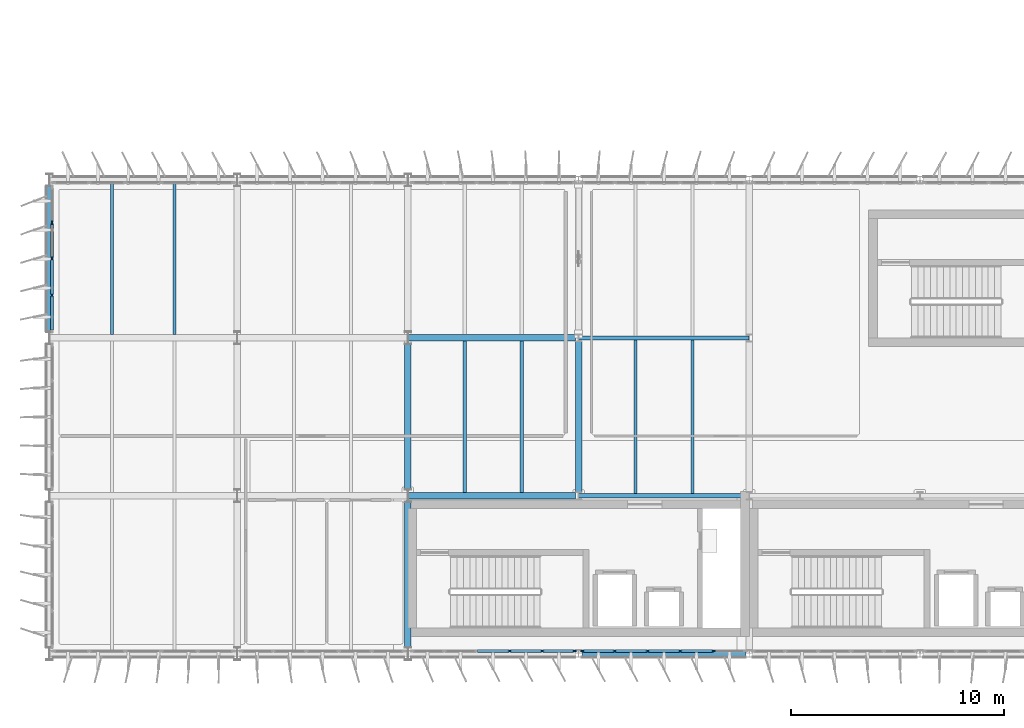
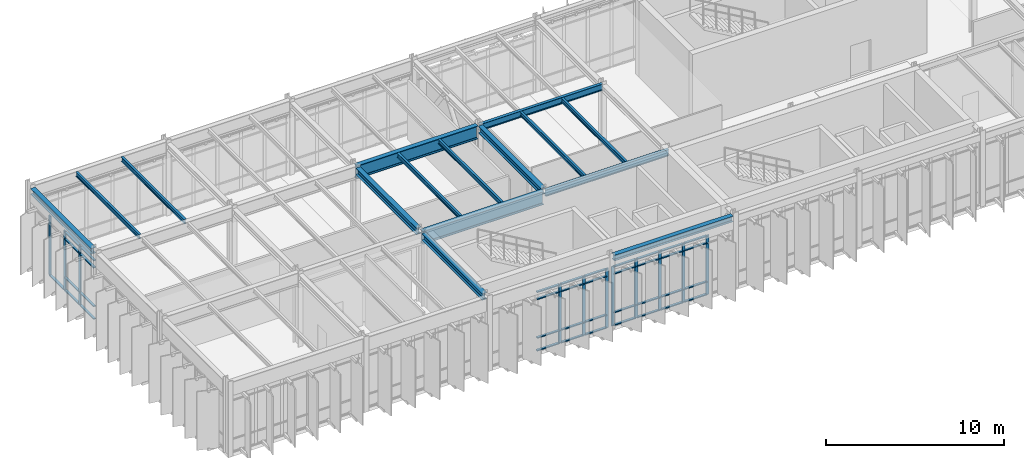
# One storey, part 9 of 48: 48 members, 15 beams, 3 elements without a shape of their own.
"""IFC4 building model written with IfcOpenShell, lengths in metres."""

from ifc_helpers import new_model, si_unit, direction, frame, origin, origin_2d, place, context, subcontext, project, spatial, rectangle, i_section, extrude, material, layer, layer_set, material_profile, profile_set, type_object, element, aggregate, save


model = new_model("IFC4")

# Units and contexts
model_context = context("Model", 3, precision=1e-05, world=origin(), true_north=direction((0.0, 1.0)))
body_context = subcontext(model_context, "Body", "Model", "MODEL_VIEW")
ifc_project = project(units=[si_unit("LENGTHUNIT", "METRE"), si_unit("AREAUNIT", "SQUARE_METRE"), si_unit("VOLUMEUNIT", "CUBIC_METRE"), si_unit("PLANEANGLEUNIT", "RADIAN"), si_unit("MASSUNIT", "GRAM", prefix="KILO")], contexts=[model_context])

# Site, building, storey
site_placement = place(None, origin())
site = spatial("IfcSite", under=ifc_project, at=site_placement, CompositionType="ELEMENT")
building_placement = place(site_placement, origin())
building = spatial("IfcBuilding", under=site, at=building_placement, Name="Valkorina Park Police Headquarters", CompositionType="ELEMENT")
storey_placement = place(building_placement, frame((0.0, 0.0, 18.10009765625)))
storey = spatial("IfcBuildingStorey", under=building, at=storey_placement, Name="L05", CompositionType="ELEMENT", Elevation=18.10009765625)

# Beams
ifc_material_1 = material(Name="Steel S355", Category="steel")
ifc_material_profile_1 = material_profile(ifc_material_1, i_section(OverallWidth=0.300048828125, OverallDepth=0.389892578125, WebThickness=0.010986328125, FlangeThickness=0.01904296875, FilletRadius=0.027099609375, at=origin_2d()), Name="HEA 400")
ifc_profile_set_1 = profile_set([ifc_material_profile_1], Name="Steel S355")
beam_type_1 = type_object("IfcBeamType", Name="BM-S355-HEA400-SPN", PredefinedType="SPANDREL", material=ifc_profile_set_1)
beam_1_placement = place(storey_placement, frame((24.949951171875, 37.0, 4.784912109375), z_axis=(1.0, 0.0, 0.0), x_axis=(0.0, 1.0, 0.0)))
element("IfcBeam", 1, at=beam_1_placement, inside=storey, type_object=beam_type_1, Name="L05 Framing Beam 2457", PredefinedType="SPANDREL", context=body_context, shape_type="SweptSolid", body=[
    extrude(i_section(OverallWidth=0.300048828125, OverallDepth=0.389892578125, WebThickness=0.010986328125, FlangeThickness=0.01904296875, FilletRadius=0.027099609375, at=origin_2d()), origin(), (0.0, 0.0, 1.0), 7.699951171875),
])
beam_2_placement = place(storey_placement, frame((0.0, 52.10009765625, 4.784912109375), z_axis=(0.0, 1.0, 0.0), x_axis=(-1.0, 0.0, 0.0)))
element("IfcBeam", 2, at=beam_2_placement, inside=storey, type_object=beam_type_1, Name="L05 Framing Beam 2513", PredefinedType="SPANDREL", context=body_context, shape_type="SweptSolid", body=[
    extrude(i_section(OverallWidth=0.300048828125, OverallDepth=0.389892578125, WebThickness=0.010986328125, FlangeThickness=0.01904296875, FilletRadius=0.027099609375, at=origin_2d()), origin(), (0.0, 0.0, 1.0), 6.7998046875),
])
ifc_material_profile_2 = material_profile(ifc_material_1, i_section(OverallWidth=0.300048828125, OverallDepth=0.449951171875, WebThickness=0.013916015625, FlangeThickness=0.02587890625, FilletRadius=0.027099609375, at=origin_2d()), Name="HEB 450")
ifc_profile_set_2 = profile_set([ifc_material_profile_2], Name="Steel S355")
beam_type_2 = type_object("IfcBeamType", Name="BM-S355-HEB450-BM", PredefinedType="BEAM", material=ifc_profile_set_2)
for number, where, z_axis, x_axis, name in (
    (3, (16.800048828125, 37.300048828125, 4.7548828125), (0.0, 1.0, 0.0), (-1.0, 0.0, 0.0), "L05 Framing Beam 2525"),
    (4, (16.800048828125, 44.699951171875, 4.7548828125), (0.0, 1.0, 0.0), (-1.0, 0.0, 0.0), "L05 Framing Beam 2526"),
):
    element("IfcBeam", number, at=place(storey_placement, frame(where, z_axis=z_axis, x_axis=x_axis)), inside=storey, type_object=beam_type_2, Name=name, PredefinedType="BEAM", context=body_context, shape_type="SweptSolid", body=[
        extrude(i_section(OverallWidth=0.300048828125, OverallDepth=0.449951171875, WebThickness=0.013916015625, FlangeThickness=0.02587890625, FilletRadius=0.027099609375, at=origin_2d()), origin(), (0.0, 0.0, 1.0), 6.800048828125),
    ])
beam_3_placement = place(storey_placement, frame((24.800048828125, 44.580078125, 4.7548828125), z_axis=(0.0, 1.0, 0.0), x_axis=(-1.0, 0.0, 0.0)))
element("IfcBeam", 5, at=beam_3_placement, inside=storey, type_object=beam_type_2, Name="L05 Framing Beam 2532", PredefinedType="BEAM", context=body_context, shape_type="SweptSolid", body=[
    extrude(i_section(OverallWidth=0.300048828125, OverallDepth=0.449951171875, WebThickness=0.013916015625, FlangeThickness=0.02587890625, FilletRadius=0.027099609375, at=origin_2d()), origin(), (0.0, 0.0, 1.0), 7.0400390625),
])
ifc_material_profile_3 = material_profile(ifc_material_1, i_section(OverallWidth=0.300048828125, OverallDepth=0.89990234375, WebThickness=0.0185546875, FlangeThickness=0.034912109375, FilletRadius=0.030029296875, at=origin_2d()), Name="HEB 900")
ifc_profile_set_3 = profile_set([ifc_material_profile_3], Name="Steel S355")
beam_type_3 = type_object("IfcBeamType", Name="BM-S355-HEB900-BM", PredefinedType="BEAM", material=ifc_profile_set_3)
for number, where, z_axis, x_axis, name in (
    (6, (16.8076171875, 44.39990234375, 4.52978515625), (1.0, 0.0, 0.0), (0.0, 1.0, 0.0), "L05 Framing Beam 2470"),
    (7, (16.8076171875, 51.800048828125, 4.52978515625), (1.0, 0.0, 0.0), (0.0, 1.0, 0.0), "L05 Framing Beam 2481"),
):
    element("IfcBeam", number, at=place(storey_placement, frame(where, z_axis=z_axis, x_axis=x_axis)), inside=storey, type_object=beam_type_3, Name=name, PredefinedType="BEAM", context=body_context, shape_type="SweptSolid", body=[
        extrude(i_section(OverallWidth=0.300048828125, OverallDepth=0.89990234375, WebThickness=0.0185546875, FlangeThickness=0.034912109375, FilletRadius=0.030029296875, at=origin_2d()), origin(), (0.0, 0.0, 1.0), 7.84228515625),
    ])
ifc_material_profile_4 = material_profile(ifc_material_1, i_section(OverallWidth=0.14990234375, OverallDepth=0.300048828125, WebThickness=0.007080078125, FlangeThickness=0.0107421875, FilletRadius=0.014892578125, at=origin_2d()), Name="IPE 300")
ifc_profile_set_4 = profile_set([ifc_material_profile_4], Name="Steel S355")
beam_type_4 = type_object("IfcBeamType", Name="BM-S355-IPE300-JST", PredefinedType="JOIST", material=ifc_profile_set_4)
for number, where, z_axis, x_axis, name in (
    (8, (2.933349609375, 51.949951171875, 4.829833984375), (0.0, 1.0, 0.0), (-1.0, 0.0, 0.0), "L05 Framing Beam 2514"),
    (9, (5.86669921875, 51.949951171875, 4.829833984375), (0.0, 1.0, 0.0), (-1.0, 0.0, 0.0), "L05 Framing Beam 2515"),
):
    element("IfcBeam", number, at=place(storey_placement, frame(where, z_axis=z_axis, x_axis=x_axis)), inside=storey, type_object=beam_type_4, Name=name, PredefinedType="JOIST", context=body_context, shape_type="SweptSolid", body=[
        extrude(i_section(OverallWidth=0.14990234375, OverallDepth=0.300048828125, WebThickness=0.007080078125, FlangeThickness=0.0107421875, FilletRadius=0.014892578125, at=origin_2d()), origin(), (0.0, 0.0, 1.0), 7.10009765625),
    ])
for number, where, z_axis, x_axis, name in (
    (10, (19.466796875, 44.550048828125, 4.829833984375), (0.0, 1.0, 0.0), (-1.0, 0.0, 0.0), "L05 Framing Beam 2527"),
    (11, (22.13330078125, 44.550048828125, 4.829833984375), (0.0, 1.0, 0.0), (-1.0, 0.0, 0.0), "L05 Framing Beam 2528"),
):
    element("IfcBeam", number, at=place(storey_placement, frame(where, z_axis=z_axis, x_axis=x_axis)), inside=storey, type_object=beam_type_4, Name=name, PredefinedType="JOIST", context=body_context, shape_type="SweptSolid", body=[
        extrude(i_section(OverallWidth=0.14990234375, OverallDepth=0.300048828125, WebThickness=0.007080078125, FlangeThickness=0.0107421875, FilletRadius=0.014892578125, at=origin_2d()), origin(), (0.0, 0.0, 1.0), 7.099853515625),
    ])
for number, where, z_axis, x_axis, name in (
    (12, (27.466796875, 44.4951171875, 4.829833984375), (0.0, 1.0, 0.0), (-1.0, 0.0, 0.0), "L05 Framing Beam 2533"),
    (13, (30.13330078125, 44.4951171875, 4.829833984375), (0.0, 1.0, 0.0), (-1.0, 0.0, 0.0), "L05 Framing Beam 2534"),
):
    element("IfcBeam", number, at=place(storey_placement, frame(where, z_axis=z_axis, x_axis=x_axis)), inside=storey, type_object=beam_type_4, Name=name, PredefinedType="JOIST", context=body_context, shape_type="SweptSolid", body=[
        extrude(i_section(OverallWidth=0.14990234375, OverallDepth=0.300048828125, WebThickness=0.007080078125, FlangeThickness=0.0107421875, FilletRadius=0.014892578125, at=origin_2d()), origin(), (0.0, 0.0, 1.0), 7.2099609375),
    ])
ifc_material_profile_5 = material_profile(ifc_material_1, i_section(OverallWidth=0.18994140625, OverallDepth=0.449951171875, WebThickness=0.009521484375, FlangeThickness=0.0146484375, FilletRadius=0.02099609375, at=origin_2d()), Name="IPE 450")
ifc_profile_set_5 = profile_set([ifc_material_profile_5], Name="Steel S355")
beam_type_5 = type_object("IfcBeamType", Name="BM-S355-IPE450-BM", PredefinedType="BEAM", material=ifc_profile_set_5)
for number, where, z_axis, x_axis, name in (
    (14, (24.806396484375, 44.39990234375, 4.7548828125), (1.0, 0.0, 0.0), (0.0, 1.0, 0.0), "L05 Framing Beam 2471"),
    (15, (24.806396484375, 51.800048828125, 4.7548828125), (1.0, 0.0, 0.0), (0.0, 1.0, 0.0), "L05 Framing Beam 2482"),
):
    element("IfcBeam", number, at=place(storey_placement, frame(where, z_axis=z_axis, x_axis=x_axis)), inside=storey, type_object=beam_type_5, Name=name, PredefinedType="BEAM", context=body_context, shape_type="SweptSolid", body=[
        extrude(i_section(OverallWidth=0.18994140625, OverallDepth=0.449951171875, WebThickness=0.009521484375, FlangeThickness=0.0146484375, FilletRadius=0.02099609375, at=origin_2d()), origin(), (0.0, 0.0, 1.0), 7.9873046875),
    ])

# Curtain wall, members
ifc_material_2 = material(Name="Thermally broken aluminium AW-6060", Category="aluminium")
ifc_layer_1 = layer(ifc_material_2, 0.18994140625)
ifc_layer_set_1 = layer_set([ifc_layer_1], Name="Thermally broken aluminium AW-6060")
curtain_wall_type_1 = type_object("IfcCurtainWallType", Name="CW-V5-7680x4070", PredefinedType="NOTDEFINED", material=ifc_layer_set_1)
curtain_wall_1_placement = place(storey_placement, origin())
curtain_wall_1 = element("IfcCurtainWall", 16, at=curtain_wall_1_placement, inside=storey, type_object=curtain_wall_type_1, Name="L05 Unitised Curtain Wall 071", PredefinedType="NOTDEFINED")
ifc_material_profile_6 = material_profile(ifc_material_2, rectangle(XDim=0.070068359375, YDim=0.18994140625, at=origin_2d()), Name="CWM-02 70x190")
ifc_profile_set_6 = profile_set([ifc_material_profile_6], Name="Thermally broken aluminium AW-6060")
member_type_1 = type_object("IfcMemberType", Name="CWM-70x190", PredefinedType="MULLION", material=ifc_profile_set_6)
member_1_placement = place(storey_placement, frame((31.10400390625, 37.1201171875, 0.0), z_axis=(0.0, 0.0, 1.0), x_axis=(0.0, -1.0, 0.0)))
member_1 = element("IfcMember", 17, at=member_1_placement, type_object=member_type_1, Name="CW-V5-768-407 mullion 2", PredefinedType="MULLION", context=body_context, shape_type="SweptSolid", body=[
    extrude(rectangle(XDim=0.070068359375, YDim=0.18994140625, at=origin_2d()), origin(), (0.0, 0.0, 1.0), 4.06982421875),
])
member_2_placement = place(storey_placement, frame((29.568115234375, 37.1201171875, 0.0), z_axis=(0.0, 0.0, 1.0), x_axis=(0.0, -1.0, 0.0)))
member_2 = element("IfcMember", 18, at=member_2_placement, type_object=member_type_1, Name="CW-V5-768-407 mullion 3", PredefinedType="MULLION", context=body_context, shape_type="SweptSolid", body=[
    extrude(rectangle(XDim=0.070068359375, YDim=0.18994140625, at=origin_2d()), origin(), (0.0, 0.0, 1.0), 4.06982421875),
])
member_3_placement = place(storey_placement, frame((28.031982421875, 37.1201171875, 0.0), z_axis=(0.0, 0.0, 1.0), x_axis=(0.0, -1.0, 0.0)))
member_3 = element("IfcMember", 19, at=member_3_placement, type_object=member_type_1, Name="CW-V5-768-407 mullion 4", PredefinedType="MULLION", context=body_context, shape_type="SweptSolid", body=[
    extrude(rectangle(XDim=0.070068359375, YDim=0.18994140625, at=origin_2d()), origin(), (0.0, 0.0, 1.0), 4.06982421875),
])
member_4_placement = place(storey_placement, frame((26.49609375, 37.1201171875, 0.0), z_axis=(0.0, 0.0, 1.0), x_axis=(0.0, -1.0, 0.0)))
member_4 = element("IfcMember", 20, at=member_4_placement, type_object=member_type_1, Name="CW-V5-768-407 mullion 5", PredefinedType="MULLION", context=body_context, shape_type="SweptSolid", body=[
    extrude(rectangle(XDim=0.070068359375, YDim=0.18994140625, at=origin_2d()), origin(), (0.0, 0.0, 1.0), 4.06982421875),
])
member_5_placement = place(storey_placement, frame((24.9951171875, 37.1201171875, 0.0), z_axis=(0.0, 0.0, 1.0), x_axis=(0.0, -1.0, 0.0)))
member_5 = element("IfcMember", 21, at=member_5_placement, type_object=member_type_1, Name="CW-V5-768-407 mullion 6", PredefinedType="MULLION", context=body_context, shape_type="SweptSolid", body=[
    extrude(rectangle(XDim=0.070068359375, YDim=0.18994140625, at=origin_2d()), origin(), (0.0, 0.0, 1.0), 4.06982421875),
])

curtain_wall_2_placement = place(storey_placement, origin())
curtain_wall_2 = element("IfcCurtainWall", 22, at=curtain_wall_2_placement, inside=storey, type_object=curtain_wall_type_1, Name="L05 Unitised Curtain Wall 072", PredefinedType="NOTDEFINED")
member_6_placement = place(storey_placement, frame((24.60498046875, 37.1201171875, 0.0), z_axis=(0.0, 0.0, 1.0), x_axis=(0.0, -1.0, 0.0)))
member_6 = element("IfcMember", 23, at=member_6_placement, type_object=member_type_1, Name="CW-V5-768-407 mullion 1", PredefinedType="MULLION", context=body_context, shape_type="SweptSolid", body=[
    extrude(rectangle(XDim=0.070068359375, YDim=0.18994140625, at=origin_2d()), origin(), (0.0, 0.0, 1.0), 4.06982421875),
])
member_7_placement = place(storey_placement, frame((23.10400390625, 37.1201171875, 0.0), z_axis=(0.0, 0.0, 1.0), x_axis=(0.0, -1.0, 0.0)))
member_7 = element("IfcMember", 24, at=member_7_placement, type_object=member_type_1, Name="CW-V5-768-407 mullion 2", PredefinedType="MULLION", context=body_context, shape_type="SweptSolid", body=[
    extrude(rectangle(XDim=0.070068359375, YDim=0.18994140625, at=origin_2d()), origin(), (0.0, 0.0, 1.0), 4.06982421875),
])
member_8_placement = place(storey_placement, frame((21.568115234375, 37.1201171875, 0.0), z_axis=(0.0, 0.0, 1.0), x_axis=(0.0, -1.0, 0.0)))
member_8 = element("IfcMember", 25, at=member_8_placement, type_object=member_type_1, Name="CW-V5-768-407 mullion 3", PredefinedType="MULLION", context=body_context, shape_type="SweptSolid", body=[
    extrude(rectangle(XDim=0.070068359375, YDim=0.18994140625, at=origin_2d()), origin(), (0.0, 0.0, 1.0), 4.06982421875),
])

ifc_layer_2 = layer(ifc_material_2, 0.18994140625)
ifc_layer_set_2 = layer_set([ifc_layer_2], Name="Thermally broken aluminium AW-6060")
curtain_wall_type_2 = type_object("IfcCurtainWallType", Name="CW-V5-6780x4070", PredefinedType="NOTDEFINED", material=ifc_layer_set_2)
curtain_wall_3_placement = place(storey_placement, origin())
curtain_wall_3 = element("IfcCurtainWall", 26, at=curtain_wall_3_placement, inside=storey, type_object=curtain_wall_type_2, Name="L05 Unitised Curtain Wall 077", PredefinedType="NOTDEFINED")
member_9_placement = place(storey_placement, frame((0.1201171875, 53.804931640625, 0.0), z_axis=(0.0, 0.0, 1.0), x_axis=(-1.0, 0.0, 0.0)))
member_9 = element("IfcMember", 27, at=member_9_placement, type_object=member_type_1, Name="CW-V5-678-407 mullion 2", PredefinedType="MULLION", context=body_context, shape_type="SweptSolid", body=[
    extrude(rectangle(XDim=0.070068359375, YDim=0.18994140625, at=origin_2d()), origin(), (0.0, 0.0, 1.0), 4.06982421875),
])
member_10_placement = place(storey_placement, frame((0.1201171875, 55.5, 0.0), z_axis=(0.0, 0.0, 1.0), x_axis=(-1.0, 0.0, 0.0)))
member_10 = element("IfcMember", 28, at=member_10_placement, type_object=member_type_1, Name="CW-V5-678-407 mullion 3", PredefinedType="MULLION", context=body_context, shape_type="SweptSolid", body=[
    extrude(rectangle(XDim=0.070068359375, YDim=0.18994140625, at=origin_2d()), origin(), (0.0, 0.0, 1.0), 4.06982421875),
])
member_11_placement = place(storey_placement, frame((0.1201171875, 57.195068359375, 0.0), z_axis=(0.0, 0.0, 1.0), x_axis=(-1.0, 0.0, 0.0)))
member_11 = element("IfcMember", 29, at=member_11_placement, type_object=member_type_1, Name="CW-V5-678-407 mullion 4", PredefinedType="MULLION", context=body_context, shape_type="SweptSolid", body=[
    extrude(rectangle(XDim=0.070068359375, YDim=0.18994140625, at=origin_2d()), origin(), (0.0, 0.0, 1.0), 4.06982421875),
])

# Member
ifc_material_profile_7 = material_profile(ifc_material_2, rectangle(XDim=0.14990234375, YDim=0.070068359375, at=origin_2d()), Name="CWT-02 150x70")
ifc_profile_set_7 = profile_set([ifc_material_profile_7], Name="Thermally broken aluminium AW-6060")
member_type_2 = type_object("IfcMemberType", Name="CWT-150x70", PredefinedType="USERDEFINED", material=ifc_profile_set_7)
member_12_placement = place(storey_placement, frame((31.069091796875, 37.1201171875, 0.034912109375), z_axis=(-1.0, 0.0, 0.0), x_axis=(0.0, -1.0, 0.0)))
member_12 = element("IfcMember", 30, at=member_12_placement, type_object=member_type_2, Name="CW-V5-768-407 transom 2.1", ObjectType="TRANSOM", PredefinedType="USERDEFINED", context=body_context, shape_type="SweptSolid", body=[
    extrude(rectangle(XDim=0.14990234375, YDim=0.070068359375, at=origin_2d()), origin(), (0.0, 0.0, 1.0), 1.466064453125),
])

member_13_placement = place(storey_placement, frame((31.069091796875, 37.1201171875, 0.89990234375), z_axis=(-1.0, 0.0, 0.0), x_axis=(0.0, -1.0, 0.0)))
member_13 = element("IfcMember", 31, at=member_13_placement, type_object=member_type_2, Name="CW-V5-768-407 transom 2.2", ObjectType="TRANSOM", PredefinedType="USERDEFINED", context=body_context, shape_type="SweptSolid", body=[
    extrude(rectangle(XDim=0.14990234375, YDim=0.070068359375, at=origin_2d()), origin(), (0.0, 0.0, 1.0), 1.466064453125),
])

member_14_placement = place(storey_placement, frame((31.069091796875, 37.1201171875, 3.5498046875), z_axis=(-1.0, 0.0, 0.0), x_axis=(0.0, -1.0, 0.0)))
member_14 = element("IfcMember", 32, at=member_14_placement, type_object=member_type_2, Name="CW-V5-768-407 transom 2.3", ObjectType="TRANSOM", PredefinedType="USERDEFINED", context=body_context, shape_type="SweptSolid", body=[
    extrude(rectangle(XDim=0.14990234375, YDim=0.070068359375, at=origin_2d()), origin(), (0.0, 0.0, 1.0), 1.466064453125),
])

member_15_placement = place(storey_placement, frame((31.069091796875, 37.1201171875, 4.034912109375), z_axis=(-1.0, 0.0, 0.0), x_axis=(0.0, -1.0, 0.0)))
member_15 = element("IfcMember", 33, at=member_15_placement, type_object=member_type_2, Name="CW-V5-768-407 transom 2.4", ObjectType="TRANSOM", PredefinedType="USERDEFINED", context=body_context, shape_type="SweptSolid", body=[
    extrude(rectangle(XDim=0.14990234375, YDim=0.070068359375, at=origin_2d()), origin(), (0.0, 0.0, 1.0), 1.466064453125),
])

member_16_placement = place(storey_placement, frame((29.532958984375, 37.1201171875, 0.034912109375), z_axis=(-1.0, 0.0, 0.0), x_axis=(0.0, -1.0, 0.0)))
member_16 = element("IfcMember", 34, at=member_16_placement, type_object=member_type_2, Name="CW-V5-768-407 transom 3.1", ObjectType="TRANSOM", PredefinedType="USERDEFINED", context=body_context, shape_type="SweptSolid", body=[
    extrude(rectangle(XDim=0.14990234375, YDim=0.070068359375, at=origin_2d()), origin(), (0.0, 0.0, 1.0), 1.466064453125),
])

member_17_placement = place(storey_placement, frame((29.532958984375, 37.1201171875, 0.89990234375), z_axis=(-1.0, 0.0, 0.0), x_axis=(0.0, -1.0, 0.0)))
member_17 = element("IfcMember", 35, at=member_17_placement, type_object=member_type_2, Name="CW-V5-768-407 transom 3.2", ObjectType="TRANSOM", PredefinedType="USERDEFINED", context=body_context, shape_type="SweptSolid", body=[
    extrude(rectangle(XDim=0.14990234375, YDim=0.070068359375, at=origin_2d()), origin(), (0.0, 0.0, 1.0), 1.466064453125),
])

member_18_placement = place(storey_placement, frame((29.532958984375, 37.1201171875, 3.5498046875), z_axis=(-1.0, 0.0, 0.0), x_axis=(0.0, -1.0, 0.0)))
member_18 = element("IfcMember", 36, at=member_18_placement, type_object=member_type_2, Name="CW-V5-768-407 transom 3.3", ObjectType="TRANSOM", PredefinedType="USERDEFINED", context=body_context, shape_type="SweptSolid", body=[
    extrude(rectangle(XDim=0.14990234375, YDim=0.070068359375, at=origin_2d()), origin(), (0.0, 0.0, 1.0), 1.466064453125),
])

member_19_placement = place(storey_placement, frame((29.532958984375, 37.1201171875, 4.034912109375), z_axis=(-1.0, 0.0, 0.0), x_axis=(0.0, -1.0, 0.0)))
member_19 = element("IfcMember", 37, at=member_19_placement, type_object=member_type_2, Name="CW-V5-768-407 transom 3.4", ObjectType="TRANSOM", PredefinedType="USERDEFINED", context=body_context, shape_type="SweptSolid", body=[
    extrude(rectangle(XDim=0.14990234375, YDim=0.070068359375, at=origin_2d()), origin(), (0.0, 0.0, 1.0), 1.466064453125),
])

member_20_placement = place(storey_placement, frame((27.9970703125, 37.1201171875, 0.034912109375), z_axis=(-1.0, 0.0, 0.0), x_axis=(0.0, -1.0, 0.0)))
member_20 = element("IfcMember", 38, at=member_20_placement, type_object=member_type_2, Name="CW-V5-768-407 transom 4.1", ObjectType="TRANSOM", PredefinedType="USERDEFINED", context=body_context, shape_type="SweptSolid", body=[
    extrude(rectangle(XDim=0.14990234375, YDim=0.070068359375, at=origin_2d()), origin(), (0.0, 0.0, 1.0), 1.466064453125),
])

member_21_placement = place(storey_placement, frame((27.9970703125, 37.1201171875, 0.89990234375), z_axis=(-1.0, 0.0, 0.0), x_axis=(0.0, -1.0, 0.0)))
member_21 = element("IfcMember", 39, at=member_21_placement, type_object=member_type_2, Name="CW-V5-768-407 transom 4.2", ObjectType="TRANSOM", PredefinedType="USERDEFINED", context=body_context, shape_type="SweptSolid", body=[
    extrude(rectangle(XDim=0.14990234375, YDim=0.070068359375, at=origin_2d()), origin(), (0.0, 0.0, 1.0), 1.466064453125),
])

member_22_placement = place(storey_placement, frame((27.9970703125, 37.1201171875, 3.5498046875), z_axis=(-1.0, 0.0, 0.0), x_axis=(0.0, -1.0, 0.0)))
member_22 = element("IfcMember", 40, at=member_22_placement, type_object=member_type_2, Name="CW-V5-768-407 transom 4.3", ObjectType="TRANSOM", PredefinedType="USERDEFINED", context=body_context, shape_type="SweptSolid", body=[
    extrude(rectangle(XDim=0.14990234375, YDim=0.070068359375, at=origin_2d()), origin(), (0.0, 0.0, 1.0), 1.466064453125),
])

member_23_placement = place(storey_placement, frame((27.9970703125, 37.1201171875, 4.034912109375), z_axis=(-1.0, 0.0, 0.0), x_axis=(0.0, -1.0, 0.0)))
member_23 = element("IfcMember", 41, at=member_23_placement, type_object=member_type_2, Name="CW-V5-768-407 transom 4.4", ObjectType="TRANSOM", PredefinedType="USERDEFINED", context=body_context, shape_type="SweptSolid", body=[
    extrude(rectangle(XDim=0.14990234375, YDim=0.070068359375, at=origin_2d()), origin(), (0.0, 0.0, 1.0), 1.466064453125),
])

member_24_placement = place(storey_placement, frame((26.4609375, 37.1201171875, 0.034912109375), z_axis=(-1.0, 0.0, 0.0), x_axis=(0.0, -1.0, 0.0)))
member_24 = element("IfcMember", 42, at=member_24_placement, type_object=member_type_2, Name="CW-V5-768-407 transom 5.1", ObjectType="TRANSOM", PredefinedType="USERDEFINED", context=body_context, shape_type="SweptSolid", body=[
    extrude(rectangle(XDim=0.14990234375, YDim=0.070068359375, at=origin_2d()), origin(), (0.0, 0.0, 1.0), 1.430908203125),
])

member_25_placement = place(storey_placement, frame((26.4609375, 37.1201171875, 0.89990234375), z_axis=(-1.0, 0.0, 0.0), x_axis=(0.0, -1.0, 0.0)))
member_25 = element("IfcMember", 43, at=member_25_placement, type_object=member_type_2, Name="CW-V5-768-407 transom 5.2", ObjectType="TRANSOM", PredefinedType="USERDEFINED", context=body_context, shape_type="SweptSolid", body=[
    extrude(rectangle(XDim=0.14990234375, YDim=0.070068359375, at=origin_2d()), origin(), (0.0, 0.0, 1.0), 1.430908203125),
])

member_26_placement = place(storey_placement, frame((26.4609375, 37.1201171875, 3.5498046875), z_axis=(-1.0, 0.0, 0.0), x_axis=(0.0, -1.0, 0.0)))
member_26 = element("IfcMember", 44, at=member_26_placement, type_object=member_type_2, Name="CW-V5-768-407 transom 5.3", ObjectType="TRANSOM", PredefinedType="USERDEFINED", context=body_context, shape_type="SweptSolid", body=[
    extrude(rectangle(XDim=0.14990234375, YDim=0.070068359375, at=origin_2d()), origin(), (0.0, 0.0, 1.0), 1.430908203125),
])

member_27_placement = place(storey_placement, frame((26.4609375, 37.1201171875, 4.034912109375), z_axis=(-1.0, 0.0, 0.0), x_axis=(0.0, -1.0, 0.0)))
member_27 = element("IfcMember", 45, at=member_27_placement, type_object=member_type_2, Name="CW-V5-768-407 transom 5.4", ObjectType="TRANSOM", PredefinedType="USERDEFINED", context=body_context, shape_type="SweptSolid", body=[
    extrude(rectangle(XDim=0.14990234375, YDim=0.070068359375, at=origin_2d()), origin(), (0.0, 0.0, 1.0), 1.430908203125),
])

aggregate(curtain_wall_1, [member_1, member_2, member_3, member_4, member_5, member_12, member_13, member_14, member_15, member_16, member_17, member_18, member_19, member_20, member_21, member_22, member_23, member_24, member_25, member_26, member_27])

member_28_placement = place(storey_placement, frame((24.570068359375, 37.1201171875, 0.034912109375), z_axis=(-1.0, 0.0, 0.0), x_axis=(0.0, -1.0, 0.0)))
member_28 = element("IfcMember", 46, at=member_28_placement, type_object=member_type_2, Name="CW-V5-768-407 transom 1.1", ObjectType="TRANSOM", PredefinedType="USERDEFINED", context=body_context, shape_type="SweptSolid", body=[
    extrude(rectangle(XDim=0.14990234375, YDim=0.070068359375, at=origin_2d()), origin(), (0.0, 0.0, 1.0), 1.43115234375),
])

member_29_placement = place(storey_placement, frame((24.570068359375, 37.1201171875, 0.89990234375), z_axis=(-1.0, 0.0, 0.0), x_axis=(0.0, -1.0, 0.0)))
member_29 = element("IfcMember", 47, at=member_29_placement, type_object=member_type_2, Name="CW-V5-768-407 transom 1.2", ObjectType="TRANSOM", PredefinedType="USERDEFINED", context=body_context, shape_type="SweptSolid", body=[
    extrude(rectangle(XDim=0.14990234375, YDim=0.070068359375, at=origin_2d()), origin(), (0.0, 0.0, 1.0), 1.43115234375),
])

member_30_placement = place(storey_placement, frame((24.570068359375, 37.1201171875, 3.5498046875), z_axis=(-1.0, 0.0, 0.0), x_axis=(0.0, -1.0, 0.0)))
member_30 = element("IfcMember", 48, at=member_30_placement, type_object=member_type_2, Name="CW-V5-768-407 transom 1.3", ObjectType="TRANSOM", PredefinedType="USERDEFINED", context=body_context, shape_type="SweptSolid", body=[
    extrude(rectangle(XDim=0.14990234375, YDim=0.070068359375, at=origin_2d()), origin(), (0.0, 0.0, 1.0), 1.43115234375),
])

member_31_placement = place(storey_placement, frame((24.570068359375, 37.1201171875, 4.034912109375), z_axis=(-1.0, 0.0, 0.0), x_axis=(0.0, -1.0, 0.0)))
member_31 = element("IfcMember", 49, at=member_31_placement, type_object=member_type_2, Name="CW-V5-768-407 transom 1.4", ObjectType="TRANSOM", PredefinedType="USERDEFINED", context=body_context, shape_type="SweptSolid", body=[
    extrude(rectangle(XDim=0.14990234375, YDim=0.070068359375, at=origin_2d()), origin(), (0.0, 0.0, 1.0), 1.43115234375),
])

member_32_placement = place(storey_placement, frame((23.069091796875, 37.1201171875, 0.034912109375), z_axis=(-1.0, 0.0, 0.0), x_axis=(0.0, -1.0, 0.0)))
member_32 = element("IfcMember", 50, at=member_32_placement, type_object=member_type_2, Name="CW-V5-768-407 transom 2.1", ObjectType="TRANSOM", PredefinedType="USERDEFINED", context=body_context, shape_type="SweptSolid", body=[
    extrude(rectangle(XDim=0.14990234375, YDim=0.070068359375, at=origin_2d()), origin(), (0.0, 0.0, 1.0), 1.466064453125),
])

member_33_placement = place(storey_placement, frame((23.069091796875, 37.1201171875, 0.89990234375), z_axis=(-1.0, 0.0, 0.0), x_axis=(0.0, -1.0, 0.0)))
member_33 = element("IfcMember", 51, at=member_33_placement, type_object=member_type_2, Name="CW-V5-768-407 transom 2.2", ObjectType="TRANSOM", PredefinedType="USERDEFINED", context=body_context, shape_type="SweptSolid", body=[
    extrude(rectangle(XDim=0.14990234375, YDim=0.070068359375, at=origin_2d()), origin(), (0.0, 0.0, 1.0), 1.466064453125),
])

member_34_placement = place(storey_placement, frame((23.069091796875, 37.1201171875, 3.5498046875), z_axis=(-1.0, 0.0, 0.0), x_axis=(0.0, -1.0, 0.0)))
member_34 = element("IfcMember", 52, at=member_34_placement, type_object=member_type_2, Name="CW-V5-768-407 transom 2.3", ObjectType="TRANSOM", PredefinedType="USERDEFINED", context=body_context, shape_type="SweptSolid", body=[
    extrude(rectangle(XDim=0.14990234375, YDim=0.070068359375, at=origin_2d()), origin(), (0.0, 0.0, 1.0), 1.466064453125),
])

member_35_placement = place(storey_placement, frame((23.069091796875, 37.1201171875, 4.034912109375), z_axis=(-1.0, 0.0, 0.0), x_axis=(0.0, -1.0, 0.0)))
member_35 = element("IfcMember", 53, at=member_35_placement, type_object=member_type_2, Name="CW-V5-768-407 transom 2.4", ObjectType="TRANSOM", PredefinedType="USERDEFINED", context=body_context, shape_type="SweptSolid", body=[
    extrude(rectangle(XDim=0.14990234375, YDim=0.070068359375, at=origin_2d()), origin(), (0.0, 0.0, 1.0), 1.466064453125),
])

member_36_placement = place(storey_placement, frame((21.532958984375, 37.1201171875, 0.034912109375), z_axis=(-1.0, 0.0, 0.0), x_axis=(0.0, -1.0, 0.0)))
member_36 = element("IfcMember", 54, at=member_36_placement, type_object=member_type_2, Name="CW-V5-768-407 transom 3.1", ObjectType="TRANSOM", PredefinedType="USERDEFINED", context=body_context, shape_type="SweptSolid", body=[
    extrude(rectangle(XDim=0.14990234375, YDim=0.070068359375, at=origin_2d()), origin(), (0.0, 0.0, 1.0), 1.466064453125),
])

member_37_placement = place(storey_placement, frame((21.532958984375, 37.1201171875, 0.89990234375), z_axis=(-1.0, 0.0, 0.0), x_axis=(0.0, -1.0, 0.0)))
member_37 = element("IfcMember", 55, at=member_37_placement, type_object=member_type_2, Name="CW-V5-768-407 transom 3.2", ObjectType="TRANSOM", PredefinedType="USERDEFINED", context=body_context, shape_type="SweptSolid", body=[
    extrude(rectangle(XDim=0.14990234375, YDim=0.070068359375, at=origin_2d()), origin(), (0.0, 0.0, 1.0), 1.466064453125),
])

member_38_placement = place(storey_placement, frame((21.532958984375, 37.1201171875, 3.5498046875), z_axis=(-1.0, 0.0, 0.0), x_axis=(0.0, -1.0, 0.0)))
member_38 = element("IfcMember", 56, at=member_38_placement, type_object=member_type_2, Name="CW-V5-768-407 transom 3.3", ObjectType="TRANSOM", PredefinedType="USERDEFINED", context=body_context, shape_type="SweptSolid", body=[
    extrude(rectangle(XDim=0.14990234375, YDim=0.070068359375, at=origin_2d()), origin(), (0.0, 0.0, 1.0), 1.466064453125),
])

member_39_placement = place(storey_placement, frame((21.532958984375, 37.1201171875, 4.034912109375), z_axis=(-1.0, 0.0, 0.0), x_axis=(0.0, -1.0, 0.0)))
member_39 = element("IfcMember", 57, at=member_39_placement, type_object=member_type_2, Name="CW-V5-768-407 transom 3.4", ObjectType="TRANSOM", PredefinedType="USERDEFINED", context=body_context, shape_type="SweptSolid", body=[
    extrude(rectangle(XDim=0.14990234375, YDim=0.070068359375, at=origin_2d()), origin(), (0.0, 0.0, 1.0), 1.466064453125),
])

aggregate(curtain_wall_2, [member_6, member_7, member_8, member_28, member_29, member_30, member_31, member_32, member_33, member_34, member_35, member_36, member_37, member_38, member_39])

member_40_placement = place(storey_placement, frame((0.1201171875, 52.179931640625, 0.034912109375), z_axis=(0.0, 1.0, 0.0), x_axis=(-1.0, 0.0, 0.0)))
member_40 = element("IfcMember", 58, at=member_40_placement, type_object=member_type_2, Name="CW-V5-678-407 transom 1.1", ObjectType="TRANSOM", PredefinedType="USERDEFINED", context=body_context, shape_type="SweptSolid", body=[
    extrude(rectangle(XDim=0.14990234375, YDim=0.070068359375, at=origin_2d()), origin(), (0.0, 0.0, 1.0), 1.590087890625),
])

member_41_placement = place(storey_placement, frame((0.1201171875, 52.179931640625, 0.89990234375), z_axis=(0.0, 1.0, 0.0), x_axis=(-1.0, 0.0, 0.0)))
member_41 = element("IfcMember", 59, at=member_41_placement, type_object=member_type_2, Name="CW-V5-678-407 transom 1.2", ObjectType="TRANSOM", PredefinedType="USERDEFINED", context=body_context, shape_type="SweptSolid", body=[
    extrude(rectangle(XDim=0.14990234375, YDim=0.070068359375, at=origin_2d()), origin(), (0.0, 0.0, 1.0), 1.590087890625),
])

member_42_placement = place(storey_placement, frame((0.1201171875, 52.179931640625, 3.5498046875), z_axis=(0.0, 1.0, 0.0), x_axis=(-1.0, 0.0, 0.0)))
member_42 = element("IfcMember", 60, at=member_42_placement, type_object=member_type_2, Name="CW-V5-678-407 transom 1.3", ObjectType="TRANSOM", PredefinedType="USERDEFINED", context=body_context, shape_type="SweptSolid", body=[
    extrude(rectangle(XDim=0.14990234375, YDim=0.070068359375, at=origin_2d()), origin(), (0.0, 0.0, 1.0), 1.590087890625),
])

member_43_placement = place(storey_placement, frame((0.1201171875, 52.179931640625, 4.034912109375), z_axis=(0.0, 1.0, 0.0), x_axis=(-1.0, 0.0, 0.0)))
member_43 = element("IfcMember", 61, at=member_43_placement, type_object=member_type_2, Name="CW-V5-678-407 transom 1.4", ObjectType="TRANSOM", PredefinedType="USERDEFINED", context=body_context, shape_type="SweptSolid", body=[
    extrude(rectangle(XDim=0.14990234375, YDim=0.070068359375, at=origin_2d()), origin(), (0.0, 0.0, 1.0), 1.590087890625),
])

member_44_placement = place(storey_placement, frame((0.1201171875, 53.840087890625, 0.034912109375), z_axis=(0.0, 1.0, 0.0), x_axis=(-1.0, 0.0, 0.0)))
member_44 = element("IfcMember", 62, at=member_44_placement, type_object=member_type_2, Name="CW-V5-678-407 transom 2.1", ObjectType="TRANSOM", PredefinedType="USERDEFINED", context=body_context, shape_type="SweptSolid", body=[
    extrude(rectangle(XDim=0.14990234375, YDim=0.070068359375, at=origin_2d()), origin(), (0.0, 0.0, 1.0), 1.625),
])

member_45_placement = place(storey_placement, frame((0.1201171875, 53.840087890625, 0.89990234375), z_axis=(0.0, 1.0, 0.0), x_axis=(-1.0, 0.0, 0.0)))
member_45 = element("IfcMember", 63, at=member_45_placement, type_object=member_type_2, Name="CW-V5-678-407 transom 2.2", ObjectType="TRANSOM", PredefinedType="USERDEFINED", context=body_context, shape_type="SweptSolid", body=[
    extrude(rectangle(XDim=0.14990234375, YDim=0.070068359375, at=origin_2d()), origin(), (0.0, 0.0, 1.0), 1.625),
])

member_46_placement = place(storey_placement, frame((0.1201171875, 53.840087890625, 3.5498046875), z_axis=(0.0, 1.0, 0.0), x_axis=(-1.0, 0.0, 0.0)))
member_46 = element("IfcMember", 64, at=member_46_placement, type_object=member_type_2, Name="CW-V5-678-407 transom 2.3", ObjectType="TRANSOM", PredefinedType="USERDEFINED", context=body_context, shape_type="SweptSolid", body=[
    extrude(rectangle(XDim=0.14990234375, YDim=0.070068359375, at=origin_2d()), origin(), (0.0, 0.0, 1.0), 1.625),
])

member_47_placement = place(storey_placement, frame((0.1201171875, 53.840087890625, 4.034912109375), z_axis=(0.0, 1.0, 0.0), x_axis=(-1.0, 0.0, 0.0)))
member_47 = element("IfcMember", 65, at=member_47_placement, type_object=member_type_2, Name="CW-V5-678-407 transom 2.4", ObjectType="TRANSOM", PredefinedType="USERDEFINED", context=body_context, shape_type="SweptSolid", body=[
    extrude(rectangle(XDim=0.14990234375, YDim=0.070068359375, at=origin_2d()), origin(), (0.0, 0.0, 1.0), 1.625),
])

member_48_placement = place(storey_placement, frame((0.1201171875, 55.534912109375, 0.034912109375), z_axis=(0.0, 1.0, 0.0), x_axis=(-1.0, 0.0, 0.0)))
member_48 = element("IfcMember", 66, at=member_48_placement, type_object=member_type_2, Name="CW-V5-678-407 transom 3.1", ObjectType="TRANSOM", PredefinedType="USERDEFINED", context=body_context, shape_type="SweptSolid", body=[
    extrude(rectangle(XDim=0.14990234375, YDim=0.070068359375, at=origin_2d()), origin(), (0.0, 0.0, 1.0), 1.625),
])

aggregate(curtain_wall_3, [member_9, member_10, member_11, member_40, member_41, member_42, member_43, member_44, member_45, member_46, member_47, member_48])

save(model, "model.ifc")
